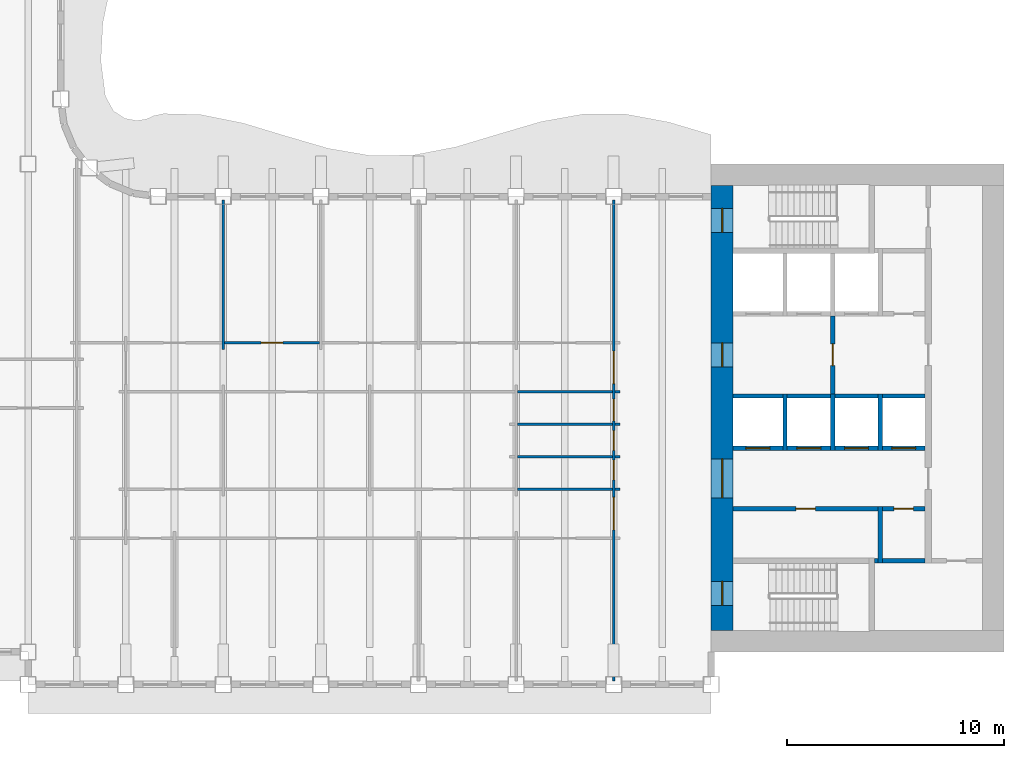
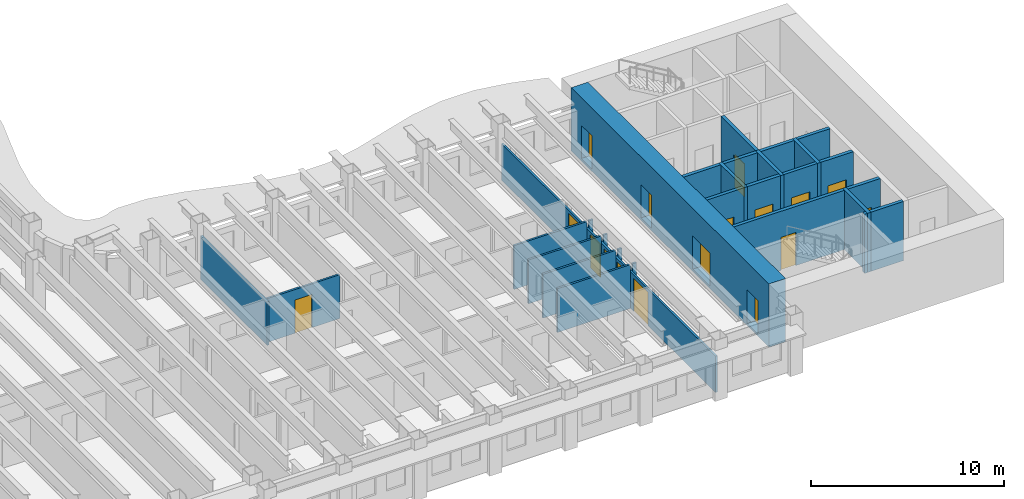
# One storey, part 6 of 16: 29 walls, 17 doors, 17 openings.
"""IFC4 building model written with IfcOpenShell, lengths in metres."""

from ifc_helpers import new_model, si_unit, direction, frame, frame_2d, origin, place, context, subcontext, project, spatial, rectangle, extrude, material, layer, layer_set, type_object, element, fill, save


model = new_model("IFC4")

# Units and contexts
model_context = context("Model", 3, precision=1e-05, world=origin(), true_north=direction((0.0, 1.0)))
body_context = subcontext(model_context, "Body", "Model", "MODEL_VIEW")
ifc_project = project(units=[si_unit("LENGTHUNIT", "METRE"), si_unit("AREAUNIT", "SQUARE_METRE"), si_unit("VOLUMEUNIT", "CUBIC_METRE"), si_unit("PLANEANGLEUNIT", "RADIAN"), si_unit("MASSUNIT", "GRAM", prefix="KILO")], contexts=[model_context])

# Site, building, storey
site_placement = place(None, origin())
site = spatial("IfcSite", under=ifc_project, at=site_placement, CompositionType="ELEMENT")
building_placement = place(site_placement, origin())
building = spatial("IfcBuilding", under=site, at=building_placement, Name="Sennacour Bend Tower", CompositionType="ELEMENT")
storey_placement = place(building_placement, frame((0.0, 0.0, 239.0)))
storey = spatial("IfcBuildingStorey", under=building, at=storey_placement, Name="L55", CompositionType="ELEMENT", Elevation=239.0)

# Wall, openings, doors
ifc_material_1 = material(Name="Concrete C60/75", Category="concrete")
ifc_layer_1 = layer(ifc_material_1, 1.0, Name="Concrete C60/75", Category="concrete")
ifc_layer_set_1 = layer_set([ifc_layer_1], Name="Concrete C60/75")
wall_type_1 = type_object("IfcWallType", Name="Core wall 1000 C60/75", PredefinedType="SHEAR", material=ifc_layer_set_1)
wall_1_placement = place(storey_placement, frame((54.5, 1.0, -0.14990234375), z_axis=(0.0, 0.0, 1.0), x_axis=(0.0, 1.0, 0.0)))
wall_1 = element("IfcWall", 1, at=wall_1_placement, inside=storey, type_object=wall_type_1, Name="Core A wall L55 W", PredefinedType="SHEAR", context=body_context, shape_type="SweptSolid", body=[
    extrude(rectangle(XDim=20.5, YDim=1.0, at=frame_2d((10.25, 0.0))), origin(), (0.0, 0.0, 1.0), 4.0),
])
opening_1_placement = place(wall_1_placement, frame((6.10009765625, 0.0, 0.14990234375)))
opening_1 = element("IfcOpeningElement", 2, at=opening_1_placement, cuts=wall_1, Name="Opening CD", PredefinedType="OPENING", context=body_context, shape_type="SweptSolid", body=[
    extrude(rectangle(XDim=1.800048828125, YDim=2.10009765625, at=frame_2d((0.89990234375, 1.050048828125))), frame((0.0, 0.510009765625, 0.0), z_axis=(0.0, -1.0, 0.0), x_axis=(1.0, 0.0, 0.0)), (0.0, 0.0, 1.0), 1.02001953125),
])
opening_2_placement = place(wall_1_placement, frame((12.14990234375, 0.0, 0.14990234375)))
opening_2 = element("IfcOpeningElement", 3, at=opening_2_placement, cuts=wall_1, Name="Opening FD", PredefinedType="OPENING", context=body_context, shape_type="SweptSolid", body=[
    extrude(rectangle(XDim=1.10009765625, YDim=2.10009765625, at=frame_2d((0.550048828125, 1.050048828125))), frame((0.0, 0.510009765625, 0.0), z_axis=(0.0, -1.0, 0.0), x_axis=(1.0, 0.0, 0.0)), (0.0, 0.0, 1.0), 1.02001953125),
])
opening_3_placement = place(wall_1_placement, frame((1.14990234375, 0.0, 0.14990234375)))
opening_3 = element("IfcOpeningElement", 4, at=opening_3_placement, cuts=wall_1, Name="Opening SD", PredefinedType="OPENING", context=body_context, shape_type="SweptSolid", body=[
    extrude(rectangle(XDim=1.10009765625, YDim=2.10009765625, at=frame_2d((0.550048828125, 1.050048828125))), frame((0.0, 0.510009765625, 0.0), z_axis=(0.0, -1.0, 0.0), x_axis=(1.0, 0.0, 0.0)), (0.0, 0.0, 1.0), 1.02001953125),
])
opening_4_placement = place(wall_1_placement, frame((18.35009765625, 0.0, 0.14990234375)))
opening_4 = element("IfcOpeningElement", 5, at=opening_4_placement, cuts=wall_1, Name="Opening SD", PredefinedType="OPENING", context=body_context, shape_type="SweptSolid", body=[
    extrude(rectangle(XDim=1.10009765625, YDim=2.10009765625, at=frame_2d((0.550048828125, 1.050048828125))), frame((0.0, 0.510009765625, 0.0), z_axis=(0.0, -1.0, 0.0), x_axis=(1.0, 0.0, 0.0)), (0.0, 0.0, 1.0), 1.02001953125),
])
ifc_material_2 = material(Name="Painted steel", Category="steel")
door_type_1 = type_object("IfcDoorType", Name="DR-FFL-1100", OperationType="NOTDEFINED", PredefinedType="DOOR", material=ifc_material_2)
door_1_placement = place(opening_2_placement, origin())
door_1 = element("IfcDoor", 6, at=door_1_placement, inside=storey, type_object=door_type_1, Name="Door", OperationType="SINGLE_SWING_RIGHT", OverallHeight=2.10009765625, OverallWidth=1.10009765625, PredefinedType="DOOR", context=body_context, shape_type="SweptSolid", body=[
    extrude(rectangle(XDim=1.10009765625, YDim=2.10009765625, at=frame_2d((0.550048828125, 1.050048828125))), frame((0.0, 0.02490234375, 0.0), z_axis=(0.0, -1.0, 0.0), x_axis=(1.0, 0.0, 0.0)), (0.0, 0.0, 1.0), 0.050048828125),
])
fill(opening_2, door_1)
door_type_2 = type_object("IfcDoorType", Name="DR-LOBBY-1800", OperationType="NOTDEFINED", PredefinedType="DOOR", material=ifc_material_2)
door_2_placement = place(opening_1_placement, origin())
door_2 = element("IfcDoor", 7, at=door_2_placement, inside=storey, type_object=door_type_2, Name="Door", OperationType="DOUBLE_DOOR_SINGLE_SWING", OverallHeight=2.10009765625, OverallWidth=1.800048828125, PredefinedType="DOOR", context=body_context, shape_type="SweptSolid", body=[
    extrude(rectangle(XDim=1.800048828125, YDim=2.10009765625, at=frame_2d((0.89990234375, 1.050048828125))), frame((0.0, 0.02490234375, 0.0), z_axis=(0.0, -1.0, 0.0), x_axis=(1.0, 0.0, 0.0)), (0.0, 0.0, 1.0), 0.050048828125),
])
fill(opening_1, door_2)
door_type_3 = type_object("IfcDoorType", Name="DR-STAIR-1100", OperationType="NOTDEFINED", PredefinedType="DOOR", material=ifc_material_2)
door_3_placement = place(opening_3_placement, origin())
door_3 = element("IfcDoor", 8, at=door_3_placement, inside=storey, type_object=door_type_3, Name="Door", OperationType="SINGLE_SWING_LEFT", OverallHeight=2.10009765625, OverallWidth=1.10009765625, PredefinedType="DOOR", context=body_context, shape_type="SweptSolid", body=[
    extrude(rectangle(XDim=1.10009765625, YDim=2.10009765625, at=frame_2d((0.550048828125, 1.050048828125))), frame((0.0, 0.02490234375, 0.0), z_axis=(0.0, -1.0, 0.0), x_axis=(1.0, 0.0, 0.0)), (0.0, 0.0, 1.0), 0.050048828125),
])
fill(opening_3, door_3)
door_4_placement = place(opening_4_placement, origin())
door_4 = element("IfcDoor", 9, at=door_4_placement, inside=storey, type_object=door_type_3, Name="Door", OperationType="SINGLE_SWING_RIGHT", OverallHeight=2.10009765625, OverallWidth=1.10009765625, PredefinedType="DOOR", context=body_context, shape_type="SweptSolid", body=[
    extrude(rectangle(XDim=1.10009765625, YDim=2.10009765625, at=frame_2d((0.550048828125, 1.050048828125))), frame((0.0, 0.02490234375, 0.0), z_axis=(0.0, -1.0, 0.0), x_axis=(1.0, 0.0, 0.0)), (0.0, 0.0, 1.0), 0.050048828125),
])
fill(opening_4, door_4)

# Walls
ifc_material_3 = material(Name="Plasterboard partition on steel studs", Category="steel")
ifc_layer_2 = layer(ifc_material_3, 0.1201171875, Name="Plasterboard partition on steel studs", Category="steel")
ifc_layer_set_2 = layer_set([ifc_layer_2], Name="Plasterboard partition on steel studs")
wall_type_2 = type_object("IfcWallType", Name="Partition 120", PredefinedType="PARTITIONING", material=ifc_layer_set_2)
wall_2_placement = place(storey_placement, frame((31.5, 13.949951171875, 0.0), z_axis=(0.0, 0.0, 1.0), x_axis=(0.0, 1.0, 0.0)))
element("IfcWall", 10, at=wall_2_placement, inside=storey, type_object=wall_type_2, Name="P-L55-W027a", PredefinedType="PARTITIONING", context=body_context, shape_type="SweptSolid", body=[
    extrude(rectangle(XDim=6.900146484375, YDim=0.1201171875, at=frame_2d((3.4501953125, 0.0))), origin(), (0.0, 0.0, 1.0), 2.77001953125),
])
wall_3_placement = place(storey_placement, frame((45.06005859375, 7.5, 0.0), z_axis=(0.0, 0.0, 1.0), x_axis=(1.0, 0.0, 0.0)))
element("IfcWall", 11, at=wall_3_placement, inside=storey, type_object=wall_type_2, Name="P-L55-W058ae", PredefinedType="PARTITIONING", context=body_context, shape_type="SweptSolid", body=[
    extrude(rectangle(XDim=4.3798828125, YDim=0.1201171875, at=frame_2d((2.18994140625, 0.0))), origin(), (0.0, 0.0, 1.0), 2.77001953125),
])
wall_4_placement = place(storey_placement, frame((49.56005859375, 7.5, 0.0), z_axis=(0.0, 0.0, 1.0), x_axis=(1.0, 0.0, 0.0)))
element("IfcWall", 12, at=wall_4_placement, inside=storey, type_object=wall_type_2, Name="P-L55-W058af", PredefinedType="PARTITIONING", context=body_context, shape_type="SweptSolid", body=[
    extrude(rectangle(XDim=0.239990234375, YDim=0.1201171875, at=frame_2d((0.1201171875, 0.0))), origin(), (0.0, 0.0, 1.0), 2.77001953125),
])
wall_5_placement = place(storey_placement, frame((45.06005859375, 9.0, 0.0), z_axis=(0.0, 0.0, 1.0), x_axis=(1.0, 0.0, 0.0)))
element("IfcWall", 13, at=wall_5_placement, inside=storey, type_object=wall_type_2, Name="P-L55-W059ab", PredefinedType="PARTITIONING", context=body_context, shape_type="SweptSolid", body=[
    extrude(rectangle(XDim=4.3798828125, YDim=0.1201171875, at=frame_2d((2.18994140625, 0.0))), origin(), (0.0, 0.0, 1.0), 2.77001953125),
])
wall_6_placement = place(storey_placement, frame((49.56005859375, 9.0, 0.0), z_axis=(0.0, 0.0, 1.0), x_axis=(1.0, 0.0, 0.0)))
element("IfcWall", 14, at=wall_6_placement, inside=storey, type_object=wall_type_2, Name="P-L55-W059ac", PredefinedType="PARTITIONING", context=body_context, shape_type="SweptSolid", body=[
    extrude(rectangle(XDim=0.239990234375, YDim=0.1201171875, at=frame_2d((0.1201171875, 0.0))), origin(), (0.0, 0.0, 1.0), 2.77001953125),
])
wall_7_placement = place(storey_placement, frame((45.06005859375, 10.5, 0.0), z_axis=(0.0, 0.0, 1.0), x_axis=(1.0, 0.0, 0.0)))
element("IfcWall", 15, at=wall_7_placement, inside=storey, type_object=wall_type_2, Name="P-L55-W061ab", PredefinedType="PARTITIONING", context=body_context, shape_type="SweptSolid", body=[
    extrude(rectangle(XDim=4.3798828125, YDim=0.1201171875, at=frame_2d((2.18994140625, 0.0))), origin(), (0.0, 0.0, 1.0), 2.77001953125),
])
wall_8_placement = place(storey_placement, frame((49.56005859375, 10.5, 0.0), z_axis=(0.0, 0.0, 1.0), x_axis=(1.0, 0.0, 0.0)))
element("IfcWall", 16, at=wall_8_placement, inside=storey, type_object=wall_type_2, Name="P-L55-W061ac", PredefinedType="PARTITIONING", context=body_context, shape_type="SweptSolid", body=[
    extrude(rectangle(XDim=0.239990234375, YDim=0.1201171875, at=frame_2d((0.1201171875, 0.0))), origin(), (0.0, 0.0, 1.0), 2.77001953125),
])
wall_9_placement = place(storey_placement, frame((45.06005859375, 12.0, 0.0), z_axis=(0.0, 0.0, 1.0), x_axis=(1.0, 0.0, 0.0)))
element("IfcWall", 17, at=wall_9_placement, inside=storey, type_object=wall_type_2, Name="P-L55-W064ae", PredefinedType="PARTITIONING", context=body_context, shape_type="SweptSolid", body=[
    extrude(rectangle(XDim=4.3798828125, YDim=0.1201171875, at=frame_2d((2.18994140625, 0.0))), origin(), (0.0, 0.0, 1.0), 2.77001953125),
])
wall_10_placement = place(storey_placement, frame((49.56005859375, 12.0, 0.0), z_axis=(0.0, 0.0, 1.0), x_axis=(1.0, 0.0, 0.0)))
element("IfcWall", 18, at=wall_10_placement, inside=storey, type_object=wall_type_2, Name="P-L55-W064af", PredefinedType="PARTITIONING", context=body_context, shape_type="SweptSolid", body=[
    extrude(rectangle(XDim=0.239990234375, YDim=0.1201171875, at=frame_2d((0.1201171875, 0.0))), origin(), (0.0, 0.0, 1.0), 2.77001953125),
])

# Wall, opening, door
wall_11_placement = place(storey_placement, frame((31.56005859375, 14.25, 0.0), z_axis=(0.0, 0.0, 1.0), x_axis=(1.0, 0.0, 0.0)))
wall_11 = element("IfcWall", 19, at=wall_11_placement, inside=storey, type_object=wall_type_2, Name="P-L55-W066ad", PredefinedType="PARTITIONING", context=body_context, shape_type="SweptSolid", body=[
    extrude(rectangle(XDim=4.3798828125, YDim=0.1201171875, at=frame_2d((2.18994140625, 0.0))), origin(), (0.0, 0.0, 1.0), 2.77001953125),
])
opening_5_placement = place(wall_11_placement, frame((1.68994140625, 0.0, 0.0)))
opening_5 = element("IfcOpeningElement", 20, at=opening_5_placement, cuts=wall_11, Name="Opening OD2", PredefinedType="OPENING", context=body_context, shape_type="SweptSolid", body=[
    extrude(rectangle(XDim=1.0, YDim=2.10009765625, at=frame_2d((0.5, 1.050048828125))), frame((0.0, 0.070068359375, 0.0), z_axis=(0.0, -1.0, 0.0), x_axis=(1.0, 0.0, 0.0)), (0.0, 0.0, 1.0), 0.14013671875),
])
ifc_material_4 = material(Name="Timber", Category="wood")
door_type_4 = type_object("IfcDoorType", Name="DR-OFFICE-1000", OperationType="NOTDEFINED", PredefinedType="DOOR", material=ifc_material_4)
door_5_placement = place(opening_5_placement, origin())
door_5 = element("IfcDoor", 21, at=door_5_placement, inside=storey, type_object=door_type_4, Name="Door", OperationType="SINGLE_SWING_LEFT", OverallHeight=2.10009765625, OverallWidth=1.0, PredefinedType="DOOR", context=body_context, shape_type="SweptSolid", body=[
    extrude(rectangle(XDim=1.0, YDim=2.10009765625, at=frame_2d((0.5, 1.050048828125))), frame((0.0, 0.02490234375, 0.0), z_axis=(0.0, -1.0, 0.0), x_axis=(1.0, 0.0, 0.0)), (0.0, 0.0, 1.0), 0.050048828125),
])
fill(opening_5, door_5)

# Wall, openings, doors
ifc_layer_3 = layer(ifc_material_3, 0.1201171875, Name="Plasterboard partition on steel studs", Category="steel")
ifc_layer_set_3 = layer_set([ifc_layer_3], Name="Plasterboard partition on steel studs")
wall_type_3 = type_object("IfcWallType", Name="Partition 120 EI 30", PredefinedType="PARTITIONING", material=ifc_layer_set_3)
wall_12_placement = place(storey_placement, frame((49.5, -1.35009765625, 0.0), z_axis=(0.0, 0.0, 1.0), x_axis=(0.0, 1.0, 0.0)))
wall_12 = element("IfcWall", 22, at=wall_12_placement, inside=storey, type_object=wall_type_3, Name="P-L55-W035a", PredefinedType="PARTITIONING", context=body_context, shape_type="SweptSolid", body=[
    extrude(rectangle(XDim=22.2001953125, YDim=0.1201171875, at=frame_2d((11.10009765625, 0.0))), origin(), (0.0, 0.0, 1.0), 2.300048828125),
])
opening_6_placement = place(wall_12_placement, frame((6.97509765625, 0.0, 0.0)))
opening_6 = element("IfcOpeningElement", 23, at=opening_6_placement, cuts=wall_12, Name="Opening KD", PredefinedType="OPENING", context=body_context, shape_type="SweptSolid", body=[
    extrude(rectangle(XDim=1.5, YDim=2.10009765625, at=frame_2d((0.75, 1.050048828125))), frame((0.0, 0.070068359375, 0.0), z_axis=(0.0, -1.0, 0.0), x_axis=(1.0, 0.0, 0.0)), (0.0, 0.0, 1.0), 0.14013671875),
])
opening_7_placement = place(wall_12_placement, frame((13.72509765625, 0.0, 0.0)))
opening_7 = element("IfcOpeningElement", 24, at=opening_7_placement, cuts=wall_12, Name="Opening KD", PredefinedType="OPENING", context=body_context, shape_type="SweptSolid", body=[
    extrude(rectangle(XDim=1.5, YDim=2.10009765625, at=frame_2d((0.75, 1.050048828125))), frame((0.0, 0.070068359375, 0.0), z_axis=(0.0, -1.0, 0.0), x_axis=(1.0, 0.0, 0.0)), (0.0, 0.0, 1.0), 0.14013671875),
])
opening_8_placement = place(wall_12_placement, frame((9.2900390625, 0.0, 0.0)))
opening_8 = element("IfcOpeningElement", 25, at=opening_8_placement, cuts=wall_12, Name="Opening WD", PredefinedType="OPENING", context=body_context, shape_type="SweptSolid", body=[
    extrude(rectangle(XDim=0.89990234375, YDim=2.10009765625, at=frame_2d((0.449951171875, 1.050048828125))), frame((0.0, 0.070068359375, 0.0), z_axis=(0.0, -1.0, 0.0), x_axis=(1.0, 0.0, 0.0)), (0.0, 0.0, 1.0), 0.14013671875),
])
opening_9_placement = place(wall_12_placement, frame((10.650146484375, 0.0, 0.0)))
opening_9 = element("IfcOpeningElement", 26, at=opening_9_placement, cuts=wall_12, Name="Opening WD", PredefinedType="OPENING", context=body_context, shape_type="SweptSolid", body=[
    extrude(rectangle(XDim=0.89990234375, YDim=2.10009765625, at=frame_2d((0.449951171875, 1.050048828125))), frame((0.0, 0.070068359375, 0.0), z_axis=(0.0, -1.0, 0.0), x_axis=(1.0, 0.0, 0.0)), (0.0, 0.0, 1.0), 0.14013671875),
])
opening_10_placement = place(wall_12_placement, frame((12.010009765625, 0.0, 0.0)))
opening_10 = element("IfcOpeningElement", 27, at=opening_10_placement, cuts=wall_12, Name="Opening AD", PredefinedType="OPENING", context=body_context, shape_type="SweptSolid", body=[
    extrude(rectangle(XDim=1.0, YDim=2.10009765625, at=frame_2d((0.5, 1.050048828125))), frame((0.0, 0.070068359375, 0.0), z_axis=(0.0, -1.0, 0.0), x_axis=(1.0, 0.0, 0.0)), (0.0, 0.0, 1.0), 0.14013671875),
])
door_type_5 = type_object("IfcDoorType", Name="DR-ACC-WC-1000", OperationType="NOTDEFINED", PredefinedType="DOOR", material=ifc_material_4)
door_6_placement = place(opening_10_placement, origin())
door_6 = element("IfcDoor", 28, at=door_6_placement, inside=storey, type_object=door_type_5, Name="Door", OperationType="SINGLE_SWING_RIGHT", OverallHeight=2.10009765625, OverallWidth=1.0, PredefinedType="DOOR", context=body_context, shape_type="SweptSolid", body=[
    extrude(rectangle(XDim=1.0, YDim=2.10009765625, at=frame_2d((0.5, 1.050048828125))), frame((0.0, 0.02490234375, 0.0), z_axis=(0.0, -1.0, 0.0), x_axis=(1.0, 0.0, 0.0)), (0.0, 0.0, 1.0), 0.050048828125),
])
fill(opening_10, door_6)
door_type_6 = type_object("IfcDoorType", Name="DR-CORRIDOR-1500", OperationType="NOTDEFINED", PredefinedType="DOOR", material=ifc_material_2)
door_7_placement = place(opening_6_placement, origin())
door_7 = element("IfcDoor", 29, at=door_7_placement, inside=storey, type_object=door_type_6, Name="Door", OperationType="SINGLE_SWING_LEFT", OverallHeight=2.10009765625, OverallWidth=1.5, PredefinedType="DOOR", context=body_context, shape_type="SweptSolid", body=[
    extrude(rectangle(XDim=1.5, YDim=2.10009765625, at=frame_2d((0.75, 1.050048828125))), frame((0.0, 0.02490234375, 0.0), z_axis=(0.0, -1.0, 0.0), x_axis=(1.0, 0.0, 0.0)), (0.0, 0.0, 1.0), 0.050048828125),
])
fill(opening_6, door_7)
door_8_placement = place(opening_7_placement, origin())
door_8 = element("IfcDoor", 30, at=door_8_placement, inside=storey, type_object=door_type_6, Name="Door", OperationType="SINGLE_SWING_RIGHT", OverallHeight=2.10009765625, OverallWidth=1.5, PredefinedType="DOOR", context=body_context, shape_type="SweptSolid", body=[
    extrude(rectangle(XDim=1.5, YDim=2.10009765625, at=frame_2d((0.75, 1.050048828125))), frame((0.0, 0.02490234375, 0.0), z_axis=(0.0, -1.0, 0.0), x_axis=(1.0, 0.0, 0.0)), (0.0, 0.0, 1.0), 0.050048828125),
])
fill(opening_7, door_8)
door_type_7 = type_object("IfcDoorType", Name="DR-WC-900", OperationType="NOTDEFINED", PredefinedType="DOOR", material=ifc_material_4)
door_9_placement = place(opening_8_placement, origin())
door_9 = element("IfcDoor", 31, at=door_9_placement, inside=storey, type_object=door_type_7, Name="Door", OperationType="SINGLE_SWING_LEFT", OverallHeight=2.10009765625, OverallWidth=0.89990234375, PredefinedType="DOOR", context=body_context, shape_type="SweptSolid", body=[
    extrude(rectangle(XDim=0.89990234375, YDim=2.10009765625, at=frame_2d((0.449951171875, 1.050048828125))), frame((0.0, 0.02490234375, 0.0), z_axis=(0.0, -1.0, 0.0), x_axis=(1.0, 0.0, 0.0)), (0.0, 0.0, 1.0), 0.050048828125),
])
fill(opening_8, door_9)
door_10_placement = place(opening_9_placement, origin())
door_10 = element("IfcDoor", 32, at=door_10_placement, inside=storey, type_object=door_type_7, Name="Door", OperationType="SINGLE_SWING_LEFT", OverallHeight=2.10009765625, OverallWidth=0.89990234375, PredefinedType="DOOR", context=body_context, shape_type="SweptSolid", body=[
    extrude(rectangle(XDim=0.89990234375, YDim=2.10009765625, at=frame_2d((0.449951171875, 1.050048828125))), frame((0.0, 0.02490234375, 0.0), z_axis=(0.0, -1.0, 0.0), x_axis=(1.0, 0.0, 0.0)), (0.0, 0.0, 1.0), 0.050048828125),
])
fill(opening_9, door_10)

# Walls
ifc_material_5 = material(Name="Fire-rated plasterboard partition on steel studs", Category="steel")
ifc_layer_4 = layer(ifc_material_5, 0.199951171875, Name="Fire-rated plasterboard partition on steel studs", Category="steel")
ifc_layer_set_4 = layer_set([ifc_layer_4], Name="Fire-rated plasterboard partition on steel studs")
wall_type_4 = type_object("IfcWallType", Name="Rated partition 200", PredefinedType="PARTITIONING", material=ifc_layer_set_4)
wall_13_placement = place(storey_placement, frame((61.800048828125, 4.10009765625, 0.0), z_axis=(0.0, 0.0, 1.0), x_axis=(0.0, 1.0, 0.0)))
element("IfcWall", 33, at=wall_13_placement, inside=storey, type_object=wall_type_4, Name="P-L55-W044", PredefinedType="PARTITIONING", context=body_context, shape_type="SweptSolid", body=[
    extrude(rectangle(XDim=2.599853515625, YDim=0.199951171875, at=frame_2d((1.2998046875, 0.0))), origin(), (0.0, 0.0, 1.0), 3.75),
])
wall_14_placement = place(storey_placement, frame((61.52490234375, 4.199951171875, 0.0), z_axis=(0.0, 0.0, 1.0), x_axis=(1.0, 0.0, 0.0)))
element("IfcWall", 34, at=wall_14_placement, inside=storey, type_object=wall_type_4, Name="P-L55-W055a", PredefinedType="PARTITIONING", context=body_context, shape_type="SweptSolid", body=[
    extrude(rectangle(XDim=0.175048828125, YDim=0.199951171875, at=frame_2d((0.08740234375, 0.0))), origin(), (0.0, 0.0, 1.0), 3.75),
])
wall_15_placement = place(storey_placement, frame((61.89990234375, 4.199951171875, 0.0), z_axis=(0.0, 0.0, 1.0), x_axis=(1.0, 0.0, 0.0)))
element("IfcWall", 35, at=wall_15_placement, inside=storey, type_object=wall_type_4, Name="P-L55-W055b", PredefinedType="PARTITIONING", context=body_context, shape_type="SweptSolid", body=[
    extrude(rectangle(XDim=1.9501953125, YDim=0.199951171875, at=frame_2d((0.97509765625, 0.0))), origin(), (0.0, 0.0, 1.0), 3.75),
])

# Wall, opening, door
wall_16_placement = place(storey_placement, frame((55.0, 6.60009765625, 0.0), z_axis=(0.0, 0.0, 1.0), x_axis=(1.0, 0.0, 0.0)))
wall_16 = element("IfcWall", 36, at=wall_16_placement, inside=storey, type_object=wall_type_4, Name="P-L55-W057a", PredefinedType="PARTITIONING", context=body_context, shape_type="SweptSolid", body=[
    extrude(rectangle(XDim=6.699951171875, YDim=0.199951171875, at=frame_2d((3.35009765625, 0.0))), origin(), (0.0, 0.0, 1.0), 3.75),
])
opening_11_placement = place(wall_16_placement, frame((2.89990234375, 0.0, 0.0)))
opening_11 = element("IfcOpeningElement", 37, at=opening_11_placement, cuts=wall_16, Name="Opening SV", PredefinedType="OPENING", context=body_context, shape_type="SweptSolid", body=[
    extrude(rectangle(XDim=0.89990234375, YDim=2.10009765625, at=frame_2d((0.449951171875, 1.050048828125))), frame((0.0, 0.10986328125, 0.0), z_axis=(0.0, -1.0, 0.0), x_axis=(1.0, 0.0, 0.0)), (0.0, 0.0, 1.0), 0.219970703125),
])
door_type_8 = type_object("IfcDoorType", Name="DR-SERVICE-900", OperationType="NOTDEFINED", PredefinedType="DOOR", material=ifc_material_2)
door_11_placement = place(opening_11_placement, origin())
door_11 = element("IfcDoor", 38, at=door_11_placement, inside=storey, type_object=door_type_8, Name="Door", OperationType="SINGLE_SWING_LEFT", OverallHeight=2.10009765625, OverallWidth=0.89990234375, PredefinedType="DOOR", context=body_context, shape_type="SweptSolid", body=[
    extrude(rectangle(XDim=0.89990234375, YDim=2.10009765625, at=frame_2d((0.449951171875, 1.050048828125))), frame((0.0, 0.02490234375, 0.0), z_axis=(0.0, -1.0, 0.0), x_axis=(1.0, 0.0, 0.0)), (0.0, 0.0, 1.0), 0.050048828125),
])
fill(opening_11, door_11)

wall_17_placement = place(storey_placement, frame((61.89990234375, 6.60009765625, 0.0), z_axis=(0.0, 0.0, 1.0), x_axis=(1.0, 0.0, 0.0)))
wall_17 = element("IfcWall", 39, at=wall_17_placement, inside=storey, type_object=wall_type_4, Name="P-L55-W057b", PredefinedType="PARTITIONING", context=body_context, shape_type="SweptSolid", body=[
    extrude(rectangle(XDim=1.9501953125, YDim=0.199951171875, at=frame_2d((0.97509765625, 0.0))), origin(), (0.0, 0.0, 1.0), 3.75),
])
opening_12_placement = place(wall_17_placement, frame((0.525146484375, 0.0, 0.0)))
opening_12 = element("IfcOpeningElement", 40, at=opening_12_placement, cuts=wall_17, Name="Opening SV", PredefinedType="OPENING", context=body_context, shape_type="SweptSolid", body=[
    extrude(rectangle(XDim=0.89990234375, YDim=2.10009765625, at=frame_2d((0.449951171875, 1.050048828125))), frame((0.0, 0.10986328125, 0.0), z_axis=(0.0, -1.0, 0.0), x_axis=(1.0, 0.0, 0.0)), (0.0, 0.0, 1.0), 0.219970703125),
])
door_12_placement = place(opening_12_placement, origin())
door_12 = element("IfcDoor", 41, at=door_12_placement, inside=storey, type_object=door_type_8, Name="Door", OperationType="SINGLE_SWING_RIGHT", OverallHeight=2.10009765625, OverallWidth=0.89990234375, PredefinedType="DOOR", context=body_context, shape_type="SweptSolid", body=[
    extrude(rectangle(XDim=0.89990234375, YDim=2.10009765625, at=frame_2d((0.449951171875, 1.050048828125))), frame((0.0, 0.02490234375, 0.0), z_axis=(0.0, -1.0, 0.0), x_axis=(1.0, 0.0, 0.0)), (0.0, 0.0, 1.0), 0.050048828125),
])
fill(opening_12, door_12)

ifc_layer_5 = layer(ifc_material_5, 0.199951171875, Name="Fire-rated plasterboard partition on steel studs", Category="steel")
ifc_layer_set_5 = layer_set([ifc_layer_5], Name="Fire-rated plasterboard partition on steel studs")
wall_type_5 = type_object("IfcWallType", Name="Rated partition 200 EI 90", PredefinedType="PARTITIONING", material=ifc_layer_set_5)
wall_18_placement = place(storey_placement, frame((59.60009765625, 11.89990234375, 0.0), z_axis=(0.0, 0.0, 1.0), x_axis=(0.0, 1.0, 0.0)))
wall_18 = element("IfcWall", 42, at=wall_18_placement, inside=storey, type_object=wall_type_5, Name="P-L55-W040", PredefinedType="PARTITIONING", context=body_context, shape_type="SweptSolid", body=[
    extrude(rectangle(XDim=3.60009765625, YDim=0.199951171875, at=frame_2d((1.800048828125, 0.0))), origin(), (0.0, 0.0, 1.0), 3.75),
])
opening_13_placement = place(wall_18_placement, frame((1.300048828125, 0.0, 0.0)))
opening_13 = element("IfcOpeningElement", 43, at=opening_13_placement, cuts=wall_18, Name="Opening FD2", PredefinedType="OPENING", context=body_context, shape_type="SweptSolid", body=[
    extrude(rectangle(XDim=1.0, YDim=2.10009765625, at=frame_2d((0.5, 1.050048828125))), frame((0.0, 0.10986328125, 0.0), z_axis=(0.0, -1.0, 0.0), x_axis=(1.0, 0.0, 0.0)), (0.0, 0.0, 1.0), 0.219970703125),
])
door_type_9 = type_object("IfcDoorType", Name="DR-FFL-1000", OperationType="NOTDEFINED", PredefinedType="DOOR", material=ifc_material_2)
door_13_placement = place(opening_13_placement, origin())
door_13 = element("IfcDoor", 44, at=door_13_placement, inside=storey, type_object=door_type_9, Name="Door", OperationType="SINGLE_SWING_LEFT", OverallHeight=2.10009765625, OverallWidth=1.0, PredefinedType="DOOR", context=body_context, shape_type="SweptSolid", body=[
    extrude(rectangle(XDim=1.0, YDim=2.10009765625, at=frame_2d((0.5, 1.050048828125))), frame((0.0, 0.02490234375, 0.0), z_axis=(0.0, -1.0, 0.0), x_axis=(1.0, 0.0, 0.0)), (0.0, 0.0, 1.0), 0.050048828125),
])
fill(opening_13, door_13)

# Walls
ifc_material_6 = material(Name="Concrete C50/60", Category="concrete")
ifc_layer_6 = layer(ifc_material_6, 0.199951171875, Name="Concrete C50/60", Category="concrete")
ifc_layer_set_6 = layer_set([ifc_layer_6], Name="Concrete C50/60")
wall_type_6 = type_object("IfcWallType", Name="Shaft wall 200", PredefinedType="SOLIDWALL", material=ifc_layer_set_6)
for number, where, z_axis, x_axis, name in (
    (45, (57.39990234375, 9.300048828125, 0.0), (0.0, 0.0, 1.0), (0.0, 1.0, 0.0), "P-L55-W037"),
    (46, (59.60009765625, 9.300048828125, 0.0), (0.0, 0.0, 1.0), (0.0, 1.0, 0.0), "P-L55-W039"),
    (47, (61.800048828125, 9.300048828125, 0.0), (0.0, 0.0, 1.0), (0.0, 1.0, 0.0), "P-L55-W045"),
):
    element("IfcWall", number, at=place(storey_placement, frame(where, z_axis=z_axis, x_axis=x_axis)), inside=storey, type_object=wall_type_6, Name=name, PredefinedType="SOLIDWALL", context=body_context, shape_type="SweptSolid", body=[
        extrude(rectangle(XDim=2.599853515625, YDim=0.199951171875, at=frame_2d((1.2998046875, 0.0))), origin(), (0.0, 0.0, 1.0), 3.75),
    ])

# Wall, opening, door
wall_19_placement = place(storey_placement, frame((55.0, 9.39990234375, 0.0), z_axis=(0.0, 0.0, 1.0), x_axis=(1.0, 0.0, 0.0)))
wall_19 = element("IfcWall", 48, at=wall_19_placement, inside=storey, type_object=wall_type_6, Name="P-L55-W060a", PredefinedType="SOLIDWALL", context=body_context, shape_type="SweptSolid", body=[
    extrude(rectangle(XDim=2.300048828125, YDim=0.199951171875, at=frame_2d((1.14990234375, 0.0))), origin(), (0.0, 0.0, 1.0), 3.75),
])
opening_14_placement = place(wall_19_placement, frame((0.60009765625, 0.0, 0.011962890625)))
opening_14 = element("IfcOpeningElement", 49, at=opening_14_placement, cuts=wall_19, Name="Opening LD", PredefinedType="OPENING", context=body_context, shape_type="SweptSolid", body=[
    extrude(rectangle(XDim=1.10009765625, YDim=2.10009765625, at=frame_2d((0.550048828125, 1.050048828125))), frame((0.0, 0.10986328125, 0.0), z_axis=(0.0, -1.0, 0.0), x_axis=(1.0, 0.0, 0.0)), (0.0, 0.0, 1.0), 0.219970703125),
])
ifc_material_7 = material(Name="Stainless steel", Category="steel")
door_type_10 = type_object("IfcDoorType", Name="DR-LANDING-1100", OperationType="NOTDEFINED", PredefinedType="DOOR", material=ifc_material_7)
door_14_placement = place(opening_14_placement, origin())
door_14 = element("IfcDoor", 50, at=door_14_placement, inside=storey, type_object=door_type_10, Name="Lift landing door HA1", OperationType="SLIDING_TO_LEFT", OverallHeight=2.10009765625, OverallWidth=1.10009765625, PredefinedType="DOOR", context=body_context, shape_type="SweptSolid", body=[
    extrude(rectangle(XDim=1.10009765625, YDim=2.10009765625, at=frame_2d((0.550048828125, 1.050048828125))), frame((0.0, 0.02490234375, 0.0), z_axis=(0.0, -1.0, 0.0), x_axis=(1.0, 0.0, 0.0)), (0.0, 0.0, 1.0), 0.050048828125),
])
fill(opening_14, door_14)

wall_20_placement = place(storey_placement, frame((57.5, 9.39990234375, 0.0), z_axis=(0.0, 0.0, 1.0), x_axis=(1.0, 0.0, 0.0)))
wall_20 = element("IfcWall", 51, at=wall_20_placement, inside=storey, type_object=wall_type_6, Name="P-L55-W060b", PredefinedType="SOLIDWALL", context=body_context, shape_type="SweptSolid", body=[
    extrude(rectangle(XDim=2.0, YDim=0.199951171875, at=frame_2d((1.0, 0.0))), origin(), (0.0, 0.0, 1.0), 3.75),
])
opening_15_placement = place(wall_20_placement, frame((0.449951171875, 0.0, 0.011962890625)))
opening_15 = element("IfcOpeningElement", 52, at=opening_15_placement, cuts=wall_20, Name="Opening LD", PredefinedType="OPENING", context=body_context, shape_type="SweptSolid", body=[
    extrude(rectangle(XDim=1.10009765625, YDim=2.10009765625, at=frame_2d((0.550048828125, 1.050048828125))), frame((0.0, 0.10986328125, 0.0), z_axis=(0.0, -1.0, 0.0), x_axis=(1.0, 0.0, 0.0)), (0.0, 0.0, 1.0), 0.219970703125),
])
door_15_placement = place(opening_15_placement, origin())
door_15 = element("IfcDoor", 53, at=door_15_placement, inside=storey, type_object=door_type_10, Name="Lift landing door HA2", OperationType="SLIDING_TO_RIGHT", OverallHeight=2.10009765625, OverallWidth=1.10009765625, PredefinedType="DOOR", context=body_context, shape_type="SweptSolid", body=[
    extrude(rectangle(XDim=1.10009765625, YDim=2.10009765625, at=frame_2d((0.550048828125, 1.050048828125))), frame((0.0, 0.02490234375, 0.0), z_axis=(0.0, -1.0, 0.0), x_axis=(1.0, 0.0, 0.0)), (0.0, 0.0, 1.0), 0.050048828125),
])
fill(opening_15, door_15)

wall_21_placement = place(storey_placement, frame((59.699951171875, 9.39990234375, 0.0), z_axis=(0.0, 0.0, 1.0), x_axis=(1.0, 0.0, 0.0)))
wall_21 = element("IfcWall", 54, at=wall_21_placement, inside=storey, type_object=wall_type_6, Name="P-L55-W060c", PredefinedType="SOLIDWALL", context=body_context, shape_type="SweptSolid", body=[
    extrude(rectangle(XDim=2.0, YDim=0.199951171875, at=frame_2d((1.0, 0.0))), origin(), (0.0, 0.0, 1.0), 3.75),
])
opening_16_placement = place(wall_21_placement, frame((0.449951171875, 0.0, 0.011962890625)))
opening_16 = element("IfcOpeningElement", 55, at=opening_16_placement, cuts=wall_21, Name="Opening LD", PredefinedType="OPENING", context=body_context, shape_type="SweptSolid", body=[
    extrude(rectangle(XDim=1.10009765625, YDim=2.10009765625, at=frame_2d((0.550048828125, 1.050048828125))), frame((0.0, 0.10986328125, 0.0), z_axis=(0.0, -1.0, 0.0), x_axis=(1.0, 0.0, 0.0)), (0.0, 0.0, 1.0), 0.219970703125),
])
door_16_placement = place(opening_16_placement, origin())
door_16 = element("IfcDoor", 56, at=door_16_placement, inside=storey, type_object=door_type_10, Name="Lift landing door HA3", OperationType="SLIDING_TO_LEFT", OverallHeight=2.10009765625, OverallWidth=1.10009765625, PredefinedType="DOOR", context=body_context, shape_type="SweptSolid", body=[
    extrude(rectangle(XDim=1.10009765625, YDim=2.10009765625, at=frame_2d((0.550048828125, 1.050048828125))), frame((0.0, 0.02490234375, 0.0), z_axis=(0.0, -1.0, 0.0), x_axis=(1.0, 0.0, 0.0)), (0.0, 0.0, 1.0), 0.050048828125),
])
fill(opening_16, door_16)

wall_22_placement = place(storey_placement, frame((61.89990234375, 9.39990234375, 0.0), z_axis=(0.0, 0.0, 1.0), x_axis=(1.0, 0.0, 0.0)))
wall_22 = element("IfcWall", 57, at=wall_22_placement, inside=storey, type_object=wall_type_6, Name="P-L55-W060d", PredefinedType="SOLIDWALL", context=body_context, shape_type="SweptSolid", body=[
    extrude(rectangle(XDim=1.9501953125, YDim=0.199951171875, at=frame_2d((0.97509765625, 0.0))), origin(), (0.0, 0.0, 1.0), 3.75),
])
opening_17_placement = place(wall_22_placement, frame((0.425048828125, 0.0, 0.011962890625)))
opening_17 = element("IfcOpeningElement", 58, at=opening_17_placement, cuts=wall_22, Name="Opening LD", PredefinedType="OPENING", context=body_context, shape_type="SweptSolid", body=[
    extrude(rectangle(XDim=1.10009765625, YDim=2.10009765625, at=frame_2d((0.550048828125, 1.050048828125))), frame((0.0, 0.10986328125, 0.0), z_axis=(0.0, -1.0, 0.0), x_axis=(1.0, 0.0, 0.0)), (0.0, 0.0, 1.0), 0.219970703125),
])
door_17_placement = place(opening_17_placement, origin())
door_17 = element("IfcDoor", 59, at=door_17_placement, inside=storey, type_object=door_type_10, Name="Lift landing door HA4", OperationType="SLIDING_TO_RIGHT", OverallHeight=2.10009765625, OverallWidth=1.10009765625, PredefinedType="DOOR", context=body_context, shape_type="SweptSolid", body=[
    extrude(rectangle(XDim=1.10009765625, YDim=2.10009765625, at=frame_2d((0.550048828125, 1.050048828125))), frame((0.0, 0.02490234375, 0.0), z_axis=(0.0, -1.0, 0.0), x_axis=(1.0, 0.0, 0.0)), (0.0, 0.0, 1.0), 0.050048828125),
])
fill(opening_17, door_17)

# Walls
wall_23_placement = place(storey_placement, frame((55.0, 11.800048828125, 0.0), z_axis=(0.0, 0.0, 1.0), x_axis=(1.0, 0.0, 0.0)))
element("IfcWall", 60, at=wall_23_placement, inside=storey, type_object=wall_type_6, Name="P-L55-W063a", PredefinedType="SOLIDWALL", context=body_context, shape_type="SweptSolid", body=[
    extrude(rectangle(XDim=2.300048828125, YDim=0.199951171875, at=frame_2d((1.14990234375, 0.0))), origin(), (0.0, 0.0, 1.0), 3.75),
])
for number, where, z_axis, x_axis, name in (
    (61, (57.5, 11.800048828125, 0.0), (0.0, 0.0, 1.0), (1.0, 0.0, 0.0), "P-L55-W063b"),
    (62, (59.699951171875, 11.800048828125, 0.0), (0.0, 0.0, 1.0), (1.0, 0.0, 0.0), "P-L55-W063c"),
):
    element("IfcWall", number, at=place(storey_placement, frame(where, z_axis=z_axis, x_axis=x_axis)), inside=storey, type_object=wall_type_6, Name=name, PredefinedType="SOLIDWALL", context=body_context, shape_type="SweptSolid", body=[
        extrude(rectangle(XDim=2.0, YDim=0.199951171875, at=frame_2d((1.0, 0.0))), origin(), (0.0, 0.0, 1.0), 3.75),
    ])
wall_24_placement = place(storey_placement, frame((61.89990234375, 11.800048828125, 0.0), z_axis=(0.0, 0.0, 1.0), x_axis=(1.0, 0.0, 0.0)))
element("IfcWall", 63, at=wall_24_placement, inside=storey, type_object=wall_type_6, Name="P-L55-W063d", PredefinedType="SOLIDWALL", context=body_context, shape_type="SweptSolid", body=[
    extrude(rectangle(XDim=1.9501953125, YDim=0.199951171875, at=frame_2d((0.97509765625, 0.0))), origin(), (0.0, 0.0, 1.0), 3.75),
])

save(model, "model.ifc")
